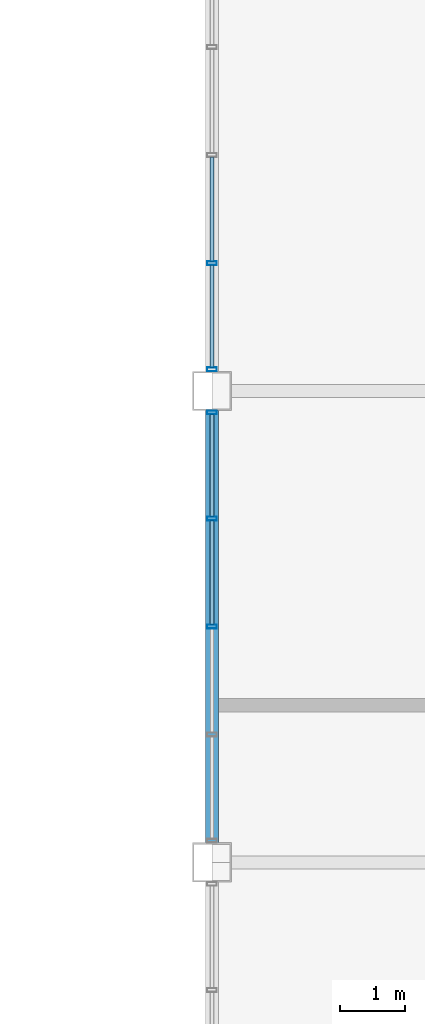
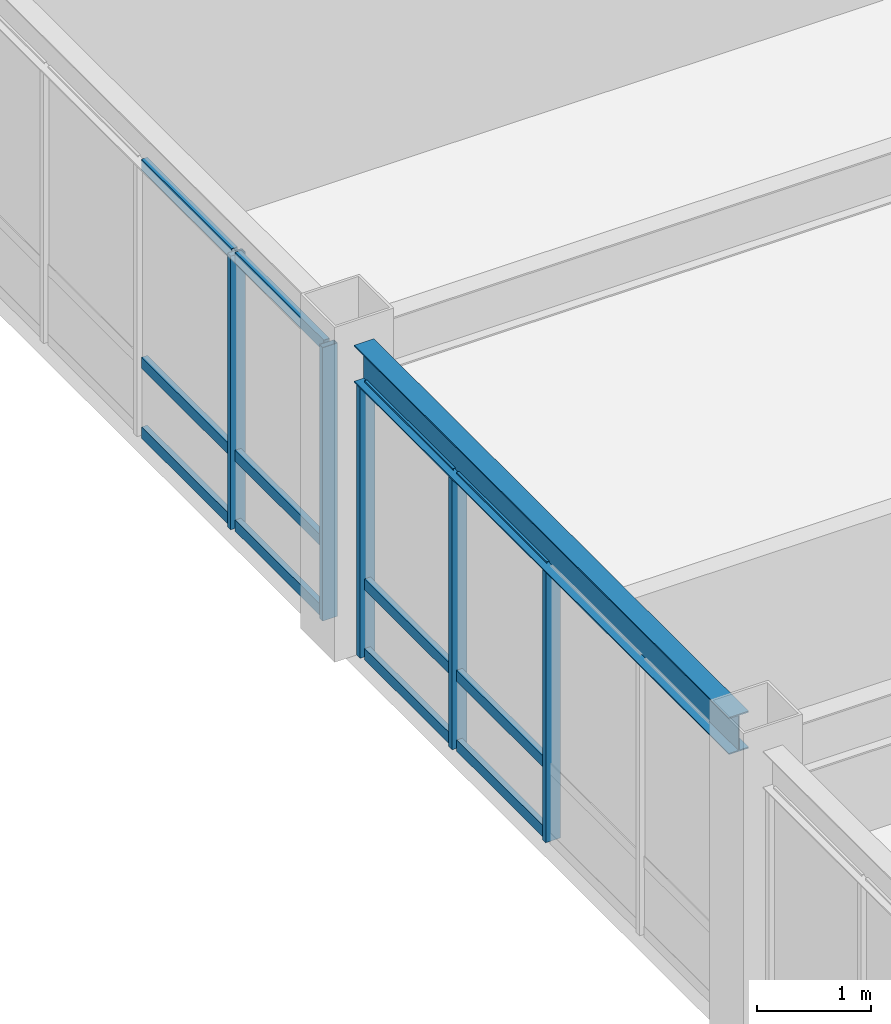
# One storey, part 17 of 34: 17 members, 1 beam, 2 elements without a shape of their own.
"""IFC4 building model written with IfcOpenShell, lengths in metres."""

from ifc_helpers import new_model, si_unit, direction, frame, origin, origin_2d, place, context, subcontext, project, spatial, hollow_rectangle, i_section, extrude, material, material_profile, profile_set, type_object, element, aggregate, save


model = new_model("IFC4")

# Units and contexts
model_context = context("Model", 3, precision=1e-05, world=origin(), true_north=direction((0.0, 1.0)))
body_context = subcontext(model_context, "Body", "Model", "MODEL_VIEW")
ifc_project = project(units=[si_unit("LENGTHUNIT", "METRE"), si_unit("AREAUNIT", "SQUARE_METRE"), si_unit("VOLUMEUNIT", "CUBIC_METRE"), si_unit("PLANEANGLEUNIT", "RADIAN"), si_unit("MASSUNIT", "GRAM", prefix="KILO")], contexts=[model_context])

# Site, building, storey
site_placement = place(None, origin())
site = spatial("IfcSite", under=ifc_project, at=site_placement, CompositionType="ELEMENT")
building_placement = place(site_placement, origin())
building = spatial("IfcBuilding", under=site, at=building_placement, Name="Kazanami Central Library", CompositionType="ELEMENT")
storey_placement = place(building_placement, frame((0.0, 0.0, 17.0)))
storey = spatial("IfcBuildingStorey", under=building, at=storey_placement, Name="L05", CompositionType="ELEMENT", Elevation=17.0)

# Beam
ifc_material_1 = material(Name="Steel SN490B (325 MPa)", Category="steel")
ifc_material_profile_1 = material_profile(ifc_material_1, i_section(OverallWidth=0.199951171875, OverallDepth=0.39990234375, WebThickness=0.008056640625, FlangeThickness=0.012939453125, at=origin_2d()), Name="H-400x200x8x13")
ifc_profile_set_1 = profile_set([ifc_material_profile_1], Name="Steel SN490B (325 MPa)")
beam_type = type_object("IfcBeamType", Name="BM-SP-3", PredefinedType="SPANDREL", material=ifc_profile_set_1)
beam_placement = place(storey_placement, frame((117.0, 72.298095703125, 3.139892578125), z_axis=(0.0, 1.0, 0.0), x_axis=(-1.0, 0.0, 0.0)))
element("IfcBeam", 1, at=beam_placement, inside=storey, type_object=beam_type, Name="Girder SP-3 L05 14/L-M", PredefinedType="SPANDREL", context=body_context, shape_type="SweptSolid", body=[
    extrude(i_section(OverallWidth=0.199951171875, OverallDepth=0.39990234375, WebThickness=0.008056640625, FlangeThickness=0.012939453125, at=origin_2d()), origin(), (0.0, 0.0, 1.0), 6.60400390625),
])

# Curtain wall, members
ifc_material_2 = material(Name="Acid-Etched Low-E Laminated Glass", Category="glass")
curtain_wall_type = type_object("IfcCurtainWallType", Name="CW-6600x2940-M180", PredefinedType="USERDEFINED", material=ifc_material_2)
curtain_wall_1_placement = place(storey_placement, origin())
curtain_wall_1 = element("IfcCurtainWall", 2, at=curtain_wall_1_placement, inside=storey, type_object=curtain_wall_type, Name="Covered Link Bridge Curtain Wall CW-54 L05 W-14-10", ObjectType="UNITISED CURTAIN WALL", PredefinedType="USERDEFINED")
ifc_material_3 = material(Name="Anodised Aluminium A6063-T5", Category="aluminium")
ifc_material_profile_2 = material_profile(ifc_material_3, hollow_rectangle(XDim=0.06005859375, YDim=0.14990234375, WallThickness=0.00390625, at=origin_2d()), Name="ALU-MULL-60x150x4")
ifc_profile_set_2 = profile_set([ifc_material_profile_2], Name="Anodised Aluminium A6063-T5")
member_type_1 = type_object("IfcMemberType", Name="MEM-CW-M3", PredefinedType="MULLION", material=ifc_profile_set_2)
member_1_placement = place(storey_placement, frame((117.0, 75.60009765625, 0.0), z_axis=(0.0, 0.0, 1.0), x_axis=(0.0, 1.0, 0.0)))
member_1 = element("IfcMember", 3, at=member_1_placement, type_object=member_type_1, Name="CW-54 mullion 3", PredefinedType="MULLION", context=body_context, shape_type="SweptSolid", body=[
    extrude(hollow_rectangle(XDim=0.06005859375, YDim=0.14990234375, WallThickness=0.00390625, at=origin_2d()), origin(), (0.0, 0.0, 1.0), 2.93994140625),
])
member_2_placement = place(storey_placement, frame((117.0, 77.25, 0.0), z_axis=(0.0, 0.0, 1.0), x_axis=(0.0, 1.0, 0.0)))
member_2 = element("IfcMember", 4, at=member_2_placement, type_object=member_type_1, Name="CW-54 mullion 4", PredefinedType="MULLION", context=body_context, shape_type="SweptSolid", body=[
    extrude(hollow_rectangle(XDim=0.06005859375, YDim=0.14990234375, WallThickness=0.00390625, at=origin_2d()), origin(), (0.0, 0.0, 1.0), 2.93994140625),
])
member_3_placement = place(storey_placement, frame((117.0, 78.8701171875, 0.0), z_axis=(0.0, 0.0, 1.0), x_axis=(0.0, 1.0, 0.0)))
member_3 = element("IfcMember", 5, at=member_3_placement, type_object=member_type_1, Name="CW-54 mullion 5", PredefinedType="MULLION", context=body_context, shape_type="SweptSolid", body=[
    extrude(hollow_rectangle(XDim=0.06005859375, YDim=0.14990234375, WallThickness=0.00390625, at=origin_2d()), origin(), (0.0, 0.0, 1.0), 2.93994140625),
])

curtain_wall_2_placement = place(storey_placement, origin())
curtain_wall_2 = element("IfcCurtainWall", 6, at=curtain_wall_2_placement, inside=storey, type_object=curtain_wall_type, Name="Covered Link Bridge Curtain Wall CW-54 L05 W-14-11", ObjectType="UNITISED CURTAIN WALL", PredefinedType="USERDEFINED")
member_4_placement = place(storey_placement, frame((117.0, 79.530029296875, 0.0), z_axis=(0.0, 0.0, 1.0), x_axis=(0.0, 1.0, 0.0)))
member_4 = element("IfcMember", 7, at=member_4_placement, type_object=member_type_1, Name="CW-54 mullion 1", PredefinedType="MULLION", context=body_context, shape_type="SweptSolid", body=[
    extrude(hollow_rectangle(XDim=0.06005859375, YDim=0.14990234375, WallThickness=0.00390625, at=origin_2d()), origin(), (0.0, 0.0, 1.0), 2.93994140625),
])
member_5_placement = place(storey_placement, frame((117.0, 81.14990234375, 0.0), z_axis=(0.0, 0.0, 1.0), x_axis=(0.0, 1.0, 0.0)))
member_5 = element("IfcMember", 8, at=member_5_placement, type_object=member_type_1, Name="CW-54 mullion 2", PredefinedType="MULLION", context=body_context, shape_type="SweptSolid", body=[
    extrude(hollow_rectangle(XDim=0.06005859375, YDim=0.14990234375, WallThickness=0.00390625, at=origin_2d()), origin(), (0.0, 0.0, 1.0), 2.93994140625),
])

# Member
ifc_material_profile_3 = material_profile(ifc_material_3, hollow_rectangle(XDim=0.06005859375, YDim=0.1201171875, WallThickness=0.00341796875, at=origin_2d()), Name="ALU-TRAN-60x120x3.5")
ifc_profile_set_3 = profile_set([ifc_material_profile_3], Name="Anodised Aluminium A6063-T5")
member_type_2 = type_object("IfcMemberType", Name="MEM-CW-T3", PredefinedType="USERDEFINED", material=ifc_profile_set_3)
member_6_placement = place(storey_placement, frame((117.0, 75.6298828125, 0.030029296875), z_axis=(0.0, 1.0, 0.0), x_axis=(-1.0, 0.0, 0.0)))
member_6 = element("IfcMember", 9, at=member_6_placement, type_object=member_type_2, Name="CW-54 transom 3.1", ObjectType="TRANSOM", PredefinedType="USERDEFINED", context=body_context, shape_type="SweptSolid", body=[
    extrude(hollow_rectangle(XDim=0.06005859375, YDim=0.1201171875, WallThickness=0.00341796875, at=origin_2d()), origin(), (0.0, 0.0, 1.0), 1.590087890625),
])

member_7_placement = place(storey_placement, frame((117.0, 75.6298828125, 0.780029296875), z_axis=(0.0, 1.0, 0.0), x_axis=(-1.0, 0.0, 0.0)))
member_7 = element("IfcMember", 10, at=member_7_placement, type_object=member_type_2, Name="CW-54 transom 3.2", ObjectType="TRANSOM", PredefinedType="USERDEFINED", context=body_context, shape_type="SweptSolid", body=[
    extrude(hollow_rectangle(XDim=0.06005859375, YDim=0.1201171875, WallThickness=0.00341796875, at=origin_2d()), origin(), (0.0, 0.0, 1.0), 1.590087890625),
])

member_8_placement = place(storey_placement, frame((117.0, 75.6298828125, 2.909912109375), z_axis=(0.0, 1.0, 0.0), x_axis=(-1.0, 0.0, 0.0)))
member_8 = element("IfcMember", 11, at=member_8_placement, type_object=member_type_2, Name="CW-54 transom 3.3", ObjectType="TRANSOM", PredefinedType="USERDEFINED", context=body_context, shape_type="SweptSolid", body=[
    extrude(hollow_rectangle(XDim=0.06005859375, YDim=0.1201171875, WallThickness=0.00341796875, at=origin_2d()), origin(), (0.0, 0.0, 1.0), 1.590087890625),
])

member_9_placement = place(storey_placement, frame((117.0, 77.280029296875, 0.030029296875), z_axis=(0.0, 1.0, 0.0), x_axis=(-1.0, 0.0, 0.0)))
member_9 = element("IfcMember", 12, at=member_9_placement, type_object=member_type_2, Name="CW-54 transom 4.1", ObjectType="TRANSOM", PredefinedType="USERDEFINED", context=body_context, shape_type="SweptSolid", body=[
    extrude(hollow_rectangle(XDim=0.06005859375, YDim=0.1201171875, WallThickness=0.00341796875, at=origin_2d()), origin(), (0.0, 0.0, 1.0), 1.56005859375),
])

member_10_placement = place(storey_placement, frame((117.0, 77.280029296875, 0.780029296875), z_axis=(0.0, 1.0, 0.0), x_axis=(-1.0, 0.0, 0.0)))
member_10 = element("IfcMember", 13, at=member_10_placement, type_object=member_type_2, Name="CW-54 transom 4.2", ObjectType="TRANSOM", PredefinedType="USERDEFINED", context=body_context, shape_type="SweptSolid", body=[
    extrude(hollow_rectangle(XDim=0.06005859375, YDim=0.1201171875, WallThickness=0.00341796875, at=origin_2d()), origin(), (0.0, 0.0, 1.0), 1.56005859375),
])

member_11_placement = place(storey_placement, frame((117.0, 77.280029296875, 2.909912109375), z_axis=(0.0, 1.0, 0.0), x_axis=(-1.0, 0.0, 0.0)))
member_11 = element("IfcMember", 14, at=member_11_placement, type_object=member_type_2, Name="CW-54 transom 4.3", ObjectType="TRANSOM", PredefinedType="USERDEFINED", context=body_context, shape_type="SweptSolid", body=[
    extrude(hollow_rectangle(XDim=0.06005859375, YDim=0.1201171875, WallThickness=0.00341796875, at=origin_2d()), origin(), (0.0, 0.0, 1.0), 1.56005859375),
])

aggregate(curtain_wall_1, [member_1, member_2, member_3, member_6, member_7, member_8, member_9, member_10, member_11])

member_12_placement = place(storey_placement, frame((117.0, 79.56005859375, 0.030029296875), z_axis=(0.0, 1.0, 0.0), x_axis=(-1.0, 0.0, 0.0)))
member_12 = element("IfcMember", 15, at=member_12_placement, type_object=member_type_2, Name="CW-54 transom 1.1", ObjectType="TRANSOM", PredefinedType="USERDEFINED", context=body_context, shape_type="SweptSolid", body=[
    extrude(hollow_rectangle(XDim=0.06005859375, YDim=0.1201171875, WallThickness=0.00341796875, at=origin_2d()), origin(), (0.0, 0.0, 1.0), 1.56005859375),
])

member_13_placement = place(storey_placement, frame((117.0, 79.56005859375, 0.780029296875), z_axis=(0.0, 1.0, 0.0), x_axis=(-1.0, 0.0, 0.0)))
member_13 = element("IfcMember", 16, at=member_13_placement, type_object=member_type_2, Name="CW-54 transom 1.2", ObjectType="TRANSOM", PredefinedType="USERDEFINED", context=body_context, shape_type="SweptSolid", body=[
    extrude(hollow_rectangle(XDim=0.06005859375, YDim=0.1201171875, WallThickness=0.00341796875, at=origin_2d()), origin(), (0.0, 0.0, 1.0), 1.56005859375),
])

member_14_placement = place(storey_placement, frame((117.0, 79.56005859375, 2.909912109375), z_axis=(0.0, 1.0, 0.0), x_axis=(-1.0, 0.0, 0.0)))
member_14 = element("IfcMember", 17, at=member_14_placement, type_object=member_type_2, Name="CW-54 transom 1.3", ObjectType="TRANSOM", PredefinedType="USERDEFINED", context=body_context, shape_type="SweptSolid", body=[
    extrude(hollow_rectangle(XDim=0.06005859375, YDim=0.1201171875, WallThickness=0.00341796875, at=origin_2d()), origin(), (0.0, 0.0, 1.0), 1.56005859375),
])

member_15_placement = place(storey_placement, frame((117.0, 81.179931640625, 0.030029296875), z_axis=(0.0, 1.0, 0.0), x_axis=(-1.0, 0.0, 0.0)))
member_15 = element("IfcMember", 18, at=member_15_placement, type_object=member_type_2, Name="CW-54 transom 2.1", ObjectType="TRANSOM", PredefinedType="USERDEFINED", context=body_context, shape_type="SweptSolid", body=[
    extrude(hollow_rectangle(XDim=0.06005859375, YDim=0.1201171875, WallThickness=0.00341796875, at=origin_2d()), origin(), (0.0, 0.0, 1.0), 1.590087890625),
])

member_16_placement = place(storey_placement, frame((117.0, 81.179931640625, 0.780029296875), z_axis=(0.0, 1.0, 0.0), x_axis=(-1.0, 0.0, 0.0)))
member_16 = element("IfcMember", 19, at=member_16_placement, type_object=member_type_2, Name="CW-54 transom 2.2", ObjectType="TRANSOM", PredefinedType="USERDEFINED", context=body_context, shape_type="SweptSolid", body=[
    extrude(hollow_rectangle(XDim=0.06005859375, YDim=0.1201171875, WallThickness=0.00341796875, at=origin_2d()), origin(), (0.0, 0.0, 1.0), 1.590087890625),
])

member_17_placement = place(storey_placement, frame((117.0, 81.179931640625, 2.909912109375), z_axis=(0.0, 1.0, 0.0), x_axis=(-1.0, 0.0, 0.0)))
member_17 = element("IfcMember", 20, at=member_17_placement, type_object=member_type_2, Name="CW-54 transom 2.3", ObjectType="TRANSOM", PredefinedType="USERDEFINED", context=body_context, shape_type="SweptSolid", body=[
    extrude(hollow_rectangle(XDim=0.06005859375, YDim=0.1201171875, WallThickness=0.00341796875, at=origin_2d()), origin(), (0.0, 0.0, 1.0), 1.590087890625),
])

aggregate(curtain_wall_2, [member_4, member_5, member_12, member_13, member_14, member_15, member_16, member_17])

save(model, "model.ifc")
